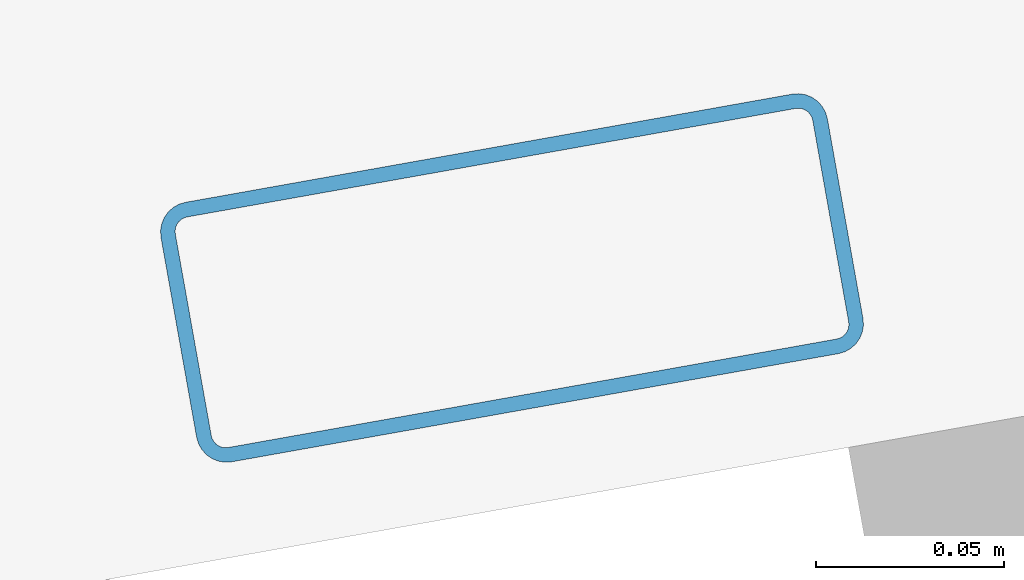
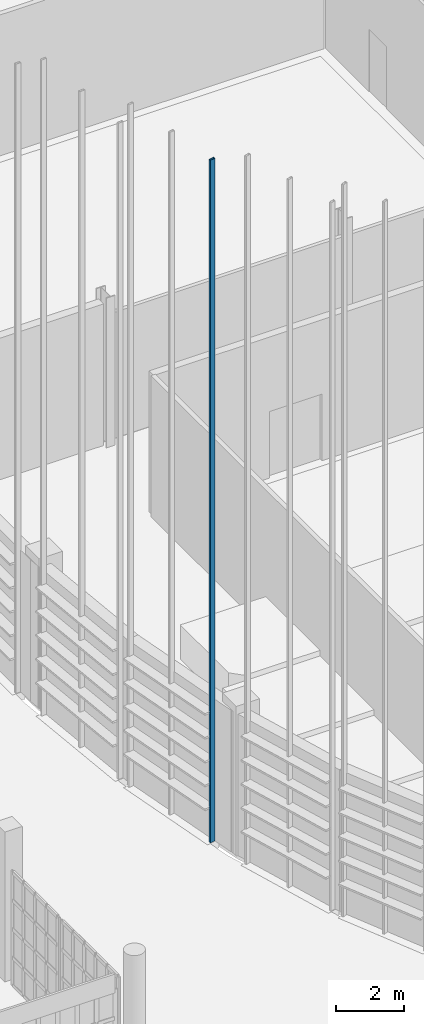
# One storey, part 79 of 372: 1 member.
"""IFC4 building model written with IfcOpenShell, lengths in metres."""

from ifc_helpers import new_model, si_unit, direction, frame, origin, origin_2d, place, context, subcontext, project, spatial, hollow_rectangle, extrude, material, material_profile, profile_set, type_object, element, save


model = new_model("IFC4")

# Units and contexts
model_context = context("Model", 3, precision=1e-05, world=origin(), true_north=direction((0.0, 1.0)))
body_context = subcontext(model_context, "Body", "Model", "MODEL_VIEW")
ifc_project = project(units=[si_unit("LENGTHUNIT", "METRE"), si_unit("AREAUNIT", "SQUARE_METRE"), si_unit("VOLUMEUNIT", "CUBIC_METRE"), si_unit("PLANEANGLEUNIT", "RADIAN"), si_unit("MASSUNIT", "GRAM", prefix="KILO")], contexts=[model_context])

# Site, building, storey
site_placement = place(None, origin())
site = spatial("IfcSite", under=ifc_project, at=site_placement, CompositionType="ELEMENT")
building_placement = place(site_placement, origin())
building = spatial("IfcBuilding", under=site, at=building_placement, Name="Kaelora Sail Theatre", CompositionType="ELEMENT")
storey_placement = place(building_placement, origin())
storey = spatial("IfcBuildingStorey", under=building, at=storey_placement, Name="L00", CompositionType="ELEMENT", Elevation=0.0)

# Member
ifc_material = material(Name="Anodised aluminium 6063-T6", Category="aluminium")
ifc_material_profile = material_profile(ifc_material, hollow_rectangle(XDim=0.070068359375, YDim=0.179931640625, WallThickness=0.00390625, InnerFilletRadius=0.00390625, OuterFilletRadius=0.008056640625, at=origin_2d()), Name="ALU-MULL 70x180x4")
ifc_profile_set = profile_set([ifc_material_profile], Name="Anodised aluminium 6063-T6")
member_type = type_object("IfcMemberType", Name="ARC-MEM-PST-160", PredefinedType="POST", material=ifc_profile_set)
member_placement = place(storey_placement, frame((26.32421875, 41.61279296875, 0.0), z_axis=(0.0, 0.0, 1.0), x_axis=(-0.17553855164, 0.984472557712, 0.0)))
element("IfcMember", 1, at=member_placement, inside=storey, type_object=member_type, Name="Main Theatre Sail Drum solar louvre vertical support post C19-1", PredefinedType="POST", context=body_context, shape_type="SweptSolid", body=[
    extrude(hollow_rectangle(XDim=0.070068359375, YDim=0.179931640625, WallThickness=0.00390625, InnerFilletRadius=0.00390625, OuterFilletRadius=0.008056640625, at=origin_2d()), origin(), (0.0, 0.0, 1.0), 24.617919921875),
])

save(model, "model.ifc")
